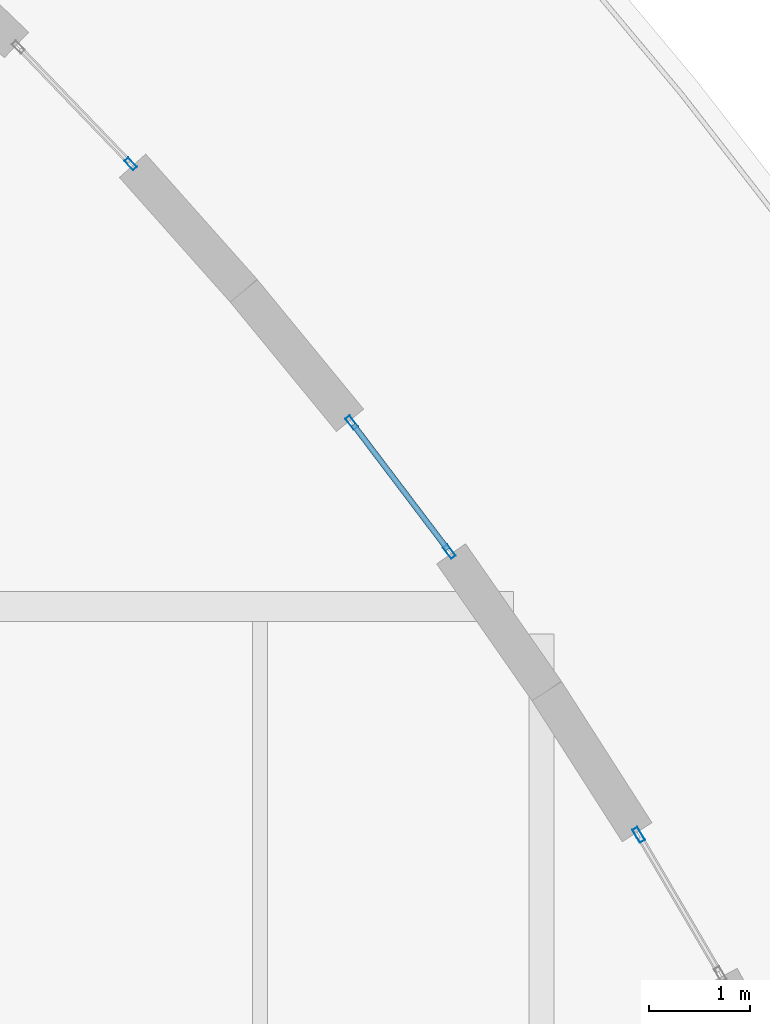
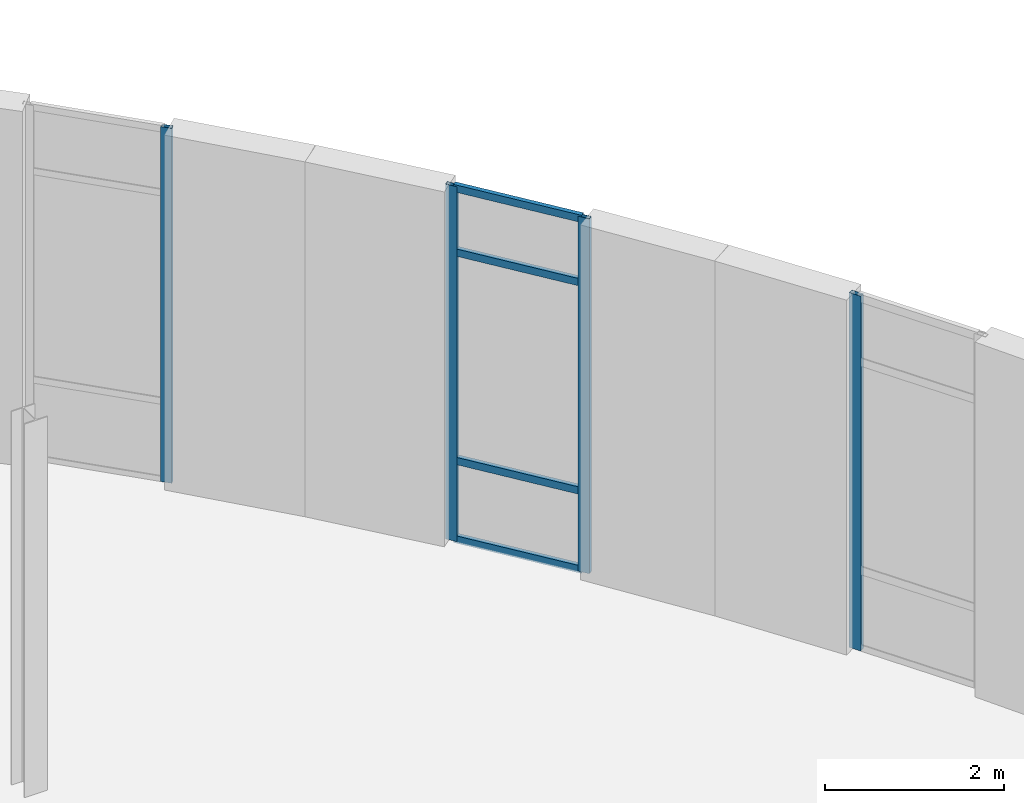
# One storey, part 56 of 91: 8 members, 3 elements without a shape of their own.
"""IFC4 building model written with IfcOpenShell, lengths in metres."""

from ifc_helpers import new_model, si_unit, direction, frame, origin, origin_2d, place, context, subcontext, project, spatial, hollow_rectangle, extrude, material, layer, layer_set, material_profile, profile_set, type_object, element, aggregate, save


model = new_model("IFC4")

# Units and contexts
model_context = context("Model", 3, precision=1e-05, world=origin(), true_north=direction((0.0, 1.0)))
body_context = subcontext(model_context, "Body", "Model", "MODEL_VIEW")
ifc_project = project(units=[si_unit("LENGTHUNIT", "METRE"), si_unit("AREAUNIT", "SQUARE_METRE"), si_unit("VOLUMEUNIT", "CUBIC_METRE"), si_unit("PLANEANGLEUNIT", "RADIAN"), si_unit("MASSUNIT", "GRAM", prefix="KILO"), si_unit("THERMODYNAMICTEMPERATUREUNIT", "KELVIN")], contexts=[model_context])

# Site, building, storey
site_placement = place(None, origin())
site = spatial("IfcSite", under=ifc_project, at=site_placement, CompositionType="ELEMENT")
building_placement = place(site_placement, origin())
building = spatial("IfcBuilding", under=site, at=building_placement, Name="Lustrewick Department Store", CompositionType="ELEMENT")
storey_placement = place(building_placement, frame((0.0, 0.0, 21.60009765625)))
storey = spatial("IfcBuildingStorey", under=building, at=storey_placement, Name="L05", CompositionType="ELEMENT", Elevation=21.60009765625)

# Curtain wall, member
ifc_material = material(Name="Thermally broken aluminium 6063-T5", Category="aluminium")
ifc_layer_1 = layer(ifc_material, 0.14990234375, Name="Thermally broken aluminium 6063-T5")
ifc_layer_set_1 = layer_set([ifc_layer_1], Name="Thermally broken aluminium 6063-T5")
curtain_wall_type_1 = type_object("IfcCurtainWallType", Name="CW05", PredefinedType="NOTDEFINED", material=ifc_layer_set_1)
curtain_wall_1_placement = place(storey_placement, origin())
curtain_wall_1 = element("IfcCurtainWall", 1, at=curtain_wall_1_placement, inside=storey, type_object=curtain_wall_type_1, Name="L05 V4 Curtain Wall CW05", PredefinedType="NOTDEFINED")
ifc_material_profile_1 = material_profile(ifc_material, hollow_rectangle(XDim=0.06005859375, YDim=0.14990234375, WallThickness=0.00341796875, at=origin_2d()), Name="ALU-M 60x150x3.5")
ifc_profile_set_1 = profile_set([ifc_material_profile_1], Name="Thermally broken aluminium 6063-T5")
member_type_1 = type_object("IfcMemberType", Name="CW05-M1", PredefinedType="MULLION", material=ifc_profile_set_1)
member_1_placement = place(storey_placement, frame((152.1669921875, 81.72802734375, 0.0), z_axis=(0.0, 0.0, 1.0), x_axis=(-0.862731400988, -0.505662466226, 0.0)))
member_1 = element("IfcMember", 2, at=member_1_placement, type_object=member_type_1, Name="CW05 mullion 2", PredefinedType="MULLION", context=body_context, shape_type="SweptSolid", body=[
    extrude(hollow_rectangle(XDim=0.06005859375, YDim=0.14990234375, WallThickness=0.00341796875, at=origin_2d()), origin(), (0.0, 0.0, 1.0), 4.844970703125),
])
aggregate(curtain_wall_1, [member_1])

# Curtain wall, members
ifc_layer_2 = layer(ifc_material, 0.139892578125, Name="Thermally broken aluminium 6063-T5")
ifc_layer_set_2 = layer_set([ifc_layer_2], Name="Thermally broken aluminium 6063-T5")
curtain_wall_type_2 = type_object("IfcCurtainWallType", Name="CW06", PredefinedType="NOTDEFINED", material=ifc_layer_set_2)
curtain_wall_2_placement = place(storey_placement, origin())
curtain_wall_2 = element("IfcCurtainWall", 3, at=curtain_wall_2_placement, inside=storey, type_object=curtain_wall_type_2, Name="L05 V4 Curtain Wall CW06", PredefinedType="NOTDEFINED")
ifc_material_profile_2 = material_profile(ifc_material, hollow_rectangle(XDim=0.054931640625, YDim=0.139892578125, WallThickness=0.00341796875, at=origin_2d()), Name="ALU-M 55x140x3.5")
ifc_profile_set_2 = profile_set([ifc_material_profile_2], Name="Thermally broken aluminium 6063-T5")
member_type_2 = type_object("IfcMemberType", Name="CW06-M1", PredefinedType="MULLION", material=ifc_profile_set_2)
member_2_placement = place(storey_placement, frame((150.28564453125, 84.5439453125, 0.0), z_axis=(0.0, 0.0, 1.0), x_axis=(-0.79731811186, -0.603559299903, 0.0)))
member_2 = element("IfcMember", 4, at=member_2_placement, type_object=member_type_2, Name="CW06 mullion 1", PredefinedType="MULLION", context=body_context, shape_type="SweptSolid", body=[
    extrude(hollow_rectangle(XDim=0.054931640625, YDim=0.139892578125, WallThickness=0.00341796875, at=origin_2d()), origin(), (0.0, 0.0, 1.0), 4.844970703125),
])
member_3_placement = place(storey_placement, frame((149.31396484375, 85.82763671875, 0.0), z_axis=(0.0, 0.0, 1.0), x_axis=(-0.79731811186, -0.603559299903, 0.0)))
member_3 = element("IfcMember", 5, at=member_3_placement, type_object=member_type_2, Name="CW06 mullion 2", PredefinedType="MULLION", context=body_context, shape_type="SweptSolid", body=[
    extrude(hollow_rectangle(XDim=0.054931640625, YDim=0.139892578125, WallThickness=0.00341796875, at=origin_2d()), origin(), (0.0, 0.0, 1.0), 4.844970703125),
])
ifc_material_profile_3 = material_profile(ifc_material, hollow_rectangle(XDim=0.054931640625, YDim=0.10009765625, WallThickness=0.0029296875, at=origin_2d()), Name="ALU-T 55x100x3")
ifc_profile_set_3 = profile_set([ifc_material_profile_3], Name="Thermally broken aluminium 6063-T5")
member_type_3 = type_object("IfcMemberType", Name="CW06-T1", PredefinedType="USERDEFINED", material=ifc_profile_set_3)
member_4_placement = place(storey_placement, frame((150.26904296875, 84.56591796875, 0.02734375), z_axis=(-0.603561390209, 0.797316529522, 0.0), x_axis=(-0.797316529522, -0.603561390209, 0.0)))
member_4 = element("IfcMember", 6, at=member_4_placement, type_object=member_type_3, Name="CW06 transom 1.1", ObjectType="TRANSOM", PredefinedType="USERDEFINED", context=body_context, shape_type="SweptSolid", body=[
    extrude(hollow_rectangle(XDim=0.054931640625, YDim=0.10009765625, WallThickness=0.0029296875, at=origin_2d()), origin(), (0.0, 0.0, 1.0), 1.554931640625),
])
member_5_placement = place(storey_placement, frame((150.26904296875, 84.56591796875, 1.099853515625), z_axis=(-0.603561390209, 0.797316529522, 0.0), x_axis=(-0.797316529522, -0.603561390209, 0.0)))
member_5 = element("IfcMember", 7, at=member_5_placement, type_object=member_type_3, Name="CW06 transom 1.2", ObjectType="TRANSOM", PredefinedType="USERDEFINED", context=body_context, shape_type="SweptSolid", body=[
    extrude(hollow_rectangle(XDim=0.054931640625, YDim=0.10009765625, WallThickness=0.0029296875, at=origin_2d()), origin(), (0.0, 0.0, 1.0), 1.554931640625),
])
member_6_placement = place(storey_placement, frame((150.26904296875, 84.56591796875, 3.94482421875), z_axis=(-0.603561390209, 0.797316529522, 0.0), x_axis=(-0.797316529522, -0.603561390209, 0.0)))
member_6 = element("IfcMember", 8, at=member_6_placement, type_object=member_type_3, Name="CW06 transom 1.3", ObjectType="TRANSOM", PredefinedType="USERDEFINED", context=body_context, shape_type="SweptSolid", body=[
    extrude(hollow_rectangle(XDim=0.054931640625, YDim=0.10009765625, WallThickness=0.0029296875, at=origin_2d()), origin(), (0.0, 0.0, 1.0), 1.554931640625),
])
member_7_placement = place(storey_placement, frame((150.26904296875, 84.56591796875, 4.8173828125), z_axis=(-0.603561390209, 0.797316529522, 0.0), x_axis=(-0.797316529522, -0.603561390209, 0.0)))
member_7 = element("IfcMember", 9, at=member_7_placement, type_object=member_type_3, Name="CW06 transom 1.4", ObjectType="TRANSOM", PredefinedType="USERDEFINED", context=body_context, shape_type="SweptSolid", body=[
    extrude(hollow_rectangle(XDim=0.054931640625, YDim=0.10009765625, WallThickness=0.0029296875, at=origin_2d()), origin(), (0.0, 0.0, 1.0), 1.554931640625),
])
aggregate(curtain_wall_2, [member_2, member_3, member_4, member_5, member_6, member_7])

# Curtain wall, member
ifc_layer_3 = layer(ifc_material, 0.1298828125, Name="Thermally broken aluminium 6063-T5")
ifc_layer_set_3 = layer_set([ifc_layer_3], Name="Thermally broken aluminium 6063-T5")
curtain_wall_type_3 = type_object("IfcCurtainWallType", Name="CW07", PredefinedType="NOTDEFINED", material=ifc_layer_set_3)
curtain_wall_3_placement = place(storey_placement, origin())
curtain_wall_3 = element("IfcCurtainWall", 10, at=curtain_wall_3_placement, inside=storey, type_object=curtain_wall_type_3, Name="L05 V4 Curtain Wall CW07", PredefinedType="NOTDEFINED")
ifc_material_profile_4 = material_profile(ifc_material, hollow_rectangle(XDim=0.054931640625, YDim=0.1298828125, WallThickness=0.00341796875, at=origin_2d()), Name="ALU-M 55x130x3.5")
ifc_profile_set_4 = profile_set([ifc_material_profile_4], Name="Thermally broken aluminium 6063-T5")
member_type_4 = type_object("IfcMemberType", Name="CW07-M1", PredefinedType="MULLION", material=ifc_profile_set_4)
member_8_placement = place(storey_placement, frame((147.1162109375, 88.401123046875, 0.0), z_axis=(0.0, 0.0, 1.0), x_axis=(-0.720815752134, -0.693126721081, 0.0)))
member_8 = element("IfcMember", 11, at=member_8_placement, type_object=member_type_4, Name="CW07 mullion 1", PredefinedType="MULLION", context=body_context, shape_type="SweptSolid", body=[
    extrude(hollow_rectangle(XDim=0.054931640625, YDim=0.1298828125, WallThickness=0.00341796875, at=origin_2d()), origin(), (0.0, 0.0, 1.0), 4.844970703125),
])
aggregate(curtain_wall_3, [member_8])

save(model, "model.ifc")
